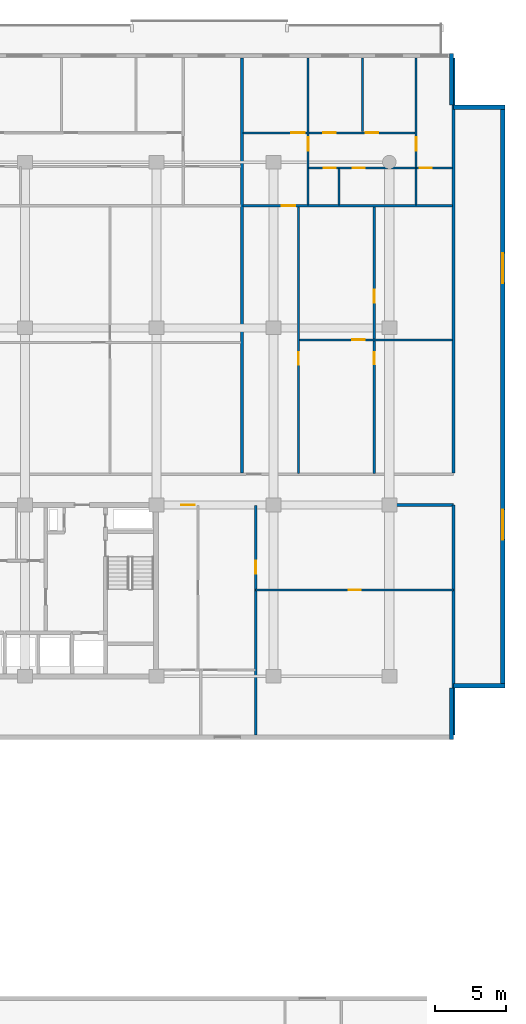
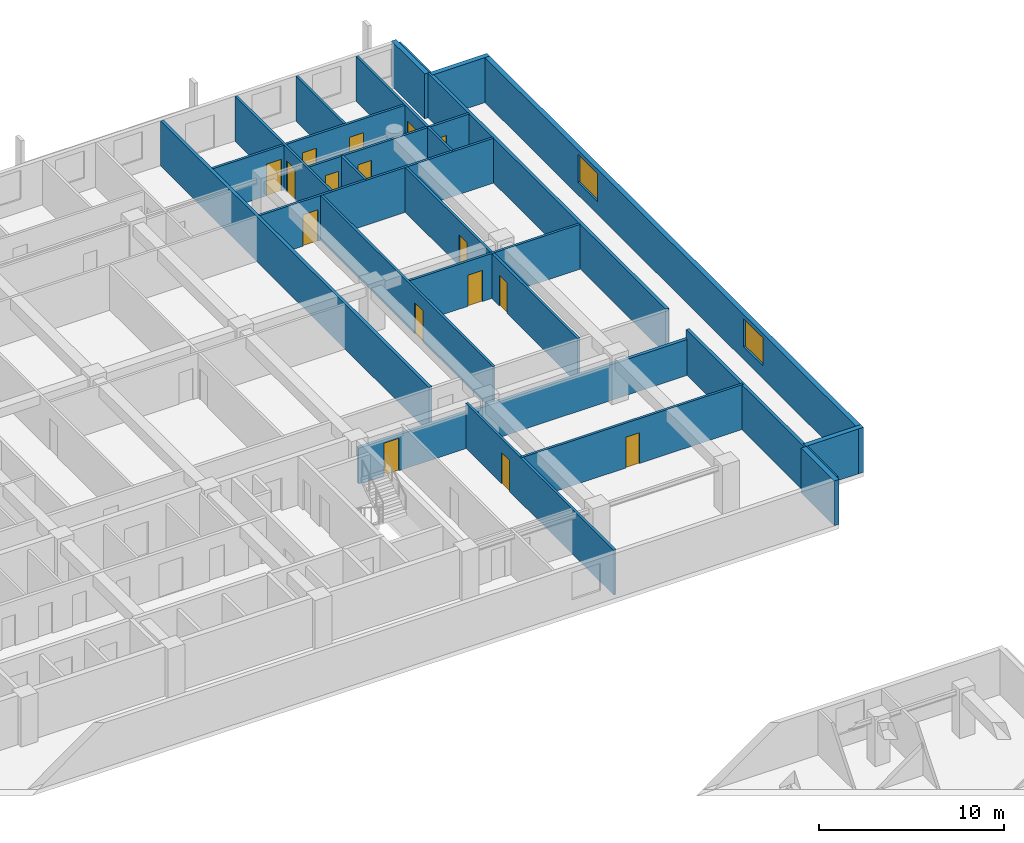
# One storey, part 17 of 23: 22 walls, 16 doors, 2 windows, 18 openings.
"""IFC4 building model written with IfcOpenShell, lengths in metres."""

from ifc_helpers import new_model, si_unit, direction, frame, frame_2d, origin, place, context, subcontext, project, spatial, rectangle, extrude, material, layer, layer_set, type_object, element, fill, save


model = new_model("IFC4")

# Units and contexts
model_context = context("Model", 3, precision=1e-05, world=origin(), true_north=direction((0.0, 1.0)))
body_context = subcontext(model_context, "Body", "Model", "MODEL_VIEW")
ifc_project = project(units=[si_unit("LENGTHUNIT", "METRE"), si_unit("AREAUNIT", "SQUARE_METRE"), si_unit("VOLUMEUNIT", "CUBIC_METRE"), si_unit("PLANEANGLEUNIT", "RADIAN"), si_unit("MASSUNIT", "GRAM", prefix="KILO")], contexts=[model_context])

# Site, building, storey
site_placement = place(None, origin())
site = spatial("IfcSite", under=ifc_project, at=site_placement, CompositionType="ELEMENT")
building_placement = place(site_placement, origin())
building = spatial("IfcBuilding", under=site, at=building_placement, Name="Korimba Cascade Residences", CompositionType="ELEMENT")
storey_placement = place(building_placement, frame((0.0, 0.0, 59.75)))
storey = spatial("IfcBuildingStorey", under=building, at=storey_placement, Name="L16", CompositionType="ELEMENT", Elevation=59.75)

# Walls
ifc_material_1 = material(Name="Precast concrete C40/50", Category="concrete")
ifc_layer_1 = layer(ifc_material_1, 0.300048828125)
ifc_layer_set_1 = layer_set([ifc_layer_1], Name="Precast concrete C40/50")
wall_type_1 = type_object("IfcWallType", Name="EW-STONE-300", PredefinedType="STANDARD", material=ifc_layer_set_1)
wall_1_placement = place(storey_placement, frame((132.75, 50.800048828125, 0.0), z_axis=(0.0, 0.0, 1.0), x_axis=(0.0, 1.0, 0.0)))
element("IfcWall", 1, at=wall_1_placement, inside=storey, type_object=wall_type_1, Name="L16 T1 Perimeter Stone Wall E01", PredefinedType="STANDARD", context=body_context, shape_type="SweptSolid", body=[
    extrude(rectangle(XDim=3.599853515625, YDim=0.300048828125, at=frame_2d((1.7998046875, 0.0))), origin(), (0.0, 0.0, 1.0), 2.969970703125),
])
wall_2_placement = place(storey_placement, frame((132.89990234375, 54.550048828125, 0.0), z_axis=(0.0, 0.0, 1.0), x_axis=(1.0, 0.0, 0.0)))
element("IfcWall", 2, at=wall_2_placement, inside=storey, type_object=wall_type_1, Name="L16 T1 Perimeter Stone Wall E02", PredefinedType="STANDARD", context=body_context, shape_type="SweptSolid", body=[
    extrude(rectangle(XDim=3.60009765625, YDim=0.300048828125, at=frame_2d((1.800048828125, 0.0))), origin(), (0.0, 0.0, 1.0), 2.969970703125),
])

# Wall, openings, windows
wall_3_placement = place(storey_placement, frame((136.35009765625, 54.39990234375, 0.0), z_axis=(0.0, 0.0, 1.0), x_axis=(0.0, 1.0, 0.0)))
wall_3 = element("IfcWall", 3, at=wall_3_placement, inside=storey, type_object=wall_type_1, Name="L16 T1 Perimeter Stone Wall E03", PredefinedType="STANDARD", context=body_context, shape_type="SweptSolid", body=[
    extrude(rectangle(XDim=40.800048828125, YDim=0.300048828125, at=frame_2d((20.39990234375, 0.0))), origin(), (0.0, 0.0, 1.0), 2.969970703125),
])
opening_1_placement = place(wall_3_placement, frame((10.3740234375, 0.0, 0.85009765625)))
opening_1 = element("IfcOpeningElement", 4, at=opening_1_placement, cuts=wall_3, Name="Opening W-03", PredefinedType="OPENING", context=body_context, shape_type="SweptSolid", body=[
    extrude(rectangle(XDim=2.10009765625, YDim=1.85009765625, at=frame_2d((1.050048828125, 0.925048828125))), frame((0.0, 0.16015625, 0.0), z_axis=(0.0, -1.0, 0.0), x_axis=(1.0, 0.0, 0.0)), (0.0, 0.0, 1.0), 0.320068359375),
])
opening_2_placement = place(wall_3_placement, frame((28.325927734375, 0.0, 0.85009765625)))
opening_2 = element("IfcOpeningElement", 5, at=opening_2_placement, cuts=wall_3, Name="Opening W-03", PredefinedType="OPENING", context=body_context, shape_type="SweptSolid", body=[
    extrude(rectangle(XDim=2.10009765625, YDim=1.85009765625, at=frame_2d((1.050048828125, 0.925048828125))), frame((0.0, 0.16015625, 0.0), z_axis=(0.0, -1.0, 0.0), x_axis=(1.0, 0.0, 0.0)), (0.0, 0.0, 1.0), 0.320068359375),
])
ifc_material_2 = material(Name="Double-Glazed Aluminium Window", Category="aluminium")
window_type = type_object("IfcWindowType", Name="WIN-CRN-2100", PartitioningType="DOUBLE_PANEL_HORIZONTAL", PredefinedType="WINDOW", material=ifc_material_2)
window_1_placement = place(opening_1_placement, origin())
window_1 = element("IfcWindow", 6, at=window_1_placement, inside=storey, type_object=window_type, Name="L16 T1 End View Window 3.1", OverallHeight=1.85009765625, OverallWidth=2.10009765625, PartitioningType="DOUBLE_PANEL_HORIZONTAL", PredefinedType="WINDOW", context=body_context, shape_type="SweptSolid", body=[
    extrude(rectangle(XDim=2.10009765625, YDim=1.85009765625, at=frame_2d((1.050048828125, 0.925048828125))), frame((0.0, 0.030029296875, 0.0), z_axis=(0.0, -1.0, 0.0), x_axis=(1.0, 0.0, 0.0)), (0.0, 0.0, 1.0), 0.06005859375),
])
fill(opening_1, window_1)
window_2_placement = place(opening_2_placement, origin())
window_2 = element("IfcWindow", 7, at=window_2_placement, inside=storey, type_object=window_type, Name="L16 T1 End View Window 3.2", OverallHeight=1.85009765625, OverallWidth=2.10009765625, PartitioningType="DOUBLE_PANEL_HORIZONTAL", PredefinedType="WINDOW", context=body_context, shape_type="SweptSolid", body=[
    extrude(rectangle(XDim=2.10009765625, YDim=1.85009765625, at=frame_2d((1.050048828125, 0.925048828125))), frame((0.0, 0.030029296875, 0.0), z_axis=(0.0, -1.0, 0.0), x_axis=(1.0, 0.0, 0.0)), (0.0, 0.0, 1.0), 0.06005859375),
])
fill(opening_2, window_2)

# Walls
for number, where, z_axis, x_axis, name in (
    (8, (136.5, 95.050048828125, 0.0), (0.0, 0.0, 1.0), (-1.0, 0.0, 0.0), "L16 T1 Perimeter Stone Wall E04"),
    (9, (132.75, 95.199951171875, 0.0), (0.0, 0.0, 1.0), (0.0, 1.0, 0.0), "L16 T1 Perimeter Stone Wall E05"),
):
    element("IfcWall", number, at=place(storey_placement, frame(where, z_axis=z_axis, x_axis=x_axis)), inside=storey, type_object=wall_type_1, Name=name, PredefinedType="STANDARD", context=body_context, shape_type="SweptSolid", body=[
        extrude(rectangle(XDim=3.60009765625, YDim=0.300048828125, at=frame_2d((1.800048828125, 0.0))), origin(), (0.0, 0.0, 1.0), 2.969970703125),
    ])
ifc_layer_2 = layer(ifc_material_1, 0.199951171875)
ifc_layer_set_2 = layer_set([ifc_layer_2], Name="Precast concrete C40/50")
wall_type_2 = type_object("IfcWallType", Name="WAL-IT-200", PredefinedType="PARTITIONING", material=ifc_layer_set_2)
wall_4_placement = place(storey_placement, frame((132.89990234375, 51.10009765625, 0.0), z_axis=(0.0, 0.0, 1.0), x_axis=(0.0, 1.0, 0.0)))
element("IfcWall", 10, at=wall_4_placement, inside=storey, type_object=wall_type_2, Name="L16 Partition Wall WAL-L16-T1-FE-WR", PredefinedType="PARTITIONING", context=body_context, shape_type="SweptSolid", body=[
    extrude(rectangle(XDim=16.099853515625, YDim=0.199951171875, at=frame_2d((8.0498046875, 0.0))), origin(), (0.0, 0.0, 1.0), 2.969970703125),
])

# Wall, opening, door
wall_5_placement = place(storey_placement, frame((112.25, 67.199951171875, 0.0), z_axis=(0.0, 0.0, 1.0), x_axis=(1.0, 0.0, 0.0)))
wall_5 = element("IfcWall", 11, at=wall_5_placement, inside=storey, type_object=wall_type_2, Name="L16 Partition Wall WAL-L16-T1-FE-N", PredefinedType="PARTITIONING", context=body_context, shape_type="SweptSolid", body=[
    extrude(rectangle(XDim=20.64990234375, YDim=0.199951171875, at=frame_2d((10.324951171875, 0.0))), origin(), (0.0, 0.0, 1.0), 2.3701171875),
])
opening_3_placement = place(wall_5_placement, frame((1.580078125, 0.0, 0.0)))
opening_3 = element("IfcOpeningElement", 12, at=opening_3_placement, cuts=wall_5, Name="Opening D-UN1", PredefinedType="OPENING", context=body_context, shape_type="SweptSolid", body=[
    extrude(rectangle(XDim=0.949951171875, YDim=2.14990234375, at=frame_2d((0.47509765625, 1.074951171875))), frame((0.0, 0.10986328125, 0.0), z_axis=(0.0, -1.0, 0.0), x_axis=(1.0, 0.0, 0.0)), (0.0, 0.0, 1.0), 0.219970703125),
])
ifc_material_3 = material(Name="Fire-Rated Hardwood Apartment Entrance Door", Category="wood")
door_type_1 = type_object("IfcDoorType", Name="DR-FD60-950", OperationType="NOTDEFINED", PredefinedType="DOOR", material=ifc_material_3)
door_1_placement = place(opening_3_placement, origin())
door_1 = element("IfcDoor", 13, at=door_1_placement, inside=storey, type_object=door_type_1, Name="L16-T1-FE Entrance Door", OperationType="SINGLE_SWING_LEFT", OverallHeight=2.14990234375, OverallWidth=0.949951171875, PredefinedType="DOOR", context=body_context, shape_type="SweptSolid", body=[
    extrude(rectangle(XDim=0.949951171875, YDim=2.14990234375, at=frame_2d((0.47509765625, 1.074951171875))), frame((0.0, 0.02490234375, 0.0), z_axis=(0.0, -1.0, 0.0), x_axis=(1.0, 0.0, 0.0)), (0.0, 0.0, 1.0), 0.050048828125),
])
fill(opening_3, door_1)

# Walls
for number, where, z_axis, x_axis, name in (
    (14, (132.89990234375, 69.429931640625, 0.0), (0.0, 0.0, 1.0), (0.0, 1.0, 0.0), "L16 Partition Wall WAL-L16-T1-BNDWR"),
    (15, (118.0830078125, 69.429931640625, 0.0), (0.0, 0.0, 1.0), (0.0, 1.0, 0.0), "L16 Partition Wall WAL-L16-T1-DEM-3"),
):
    element("IfcWall", number, at=place(storey_placement, frame(where, z_axis=z_axis, x_axis=x_axis)), inside=storey, type_object=wall_type_2, Name=name, PredefinedType="PARTITIONING", context=body_context, shape_type="SweptSolid", body=[
        extrude(rectangle(XDim=29.070068359375, YDim=0.199951171875, at=frame_2d((14.53515625, 0.0))), origin(), (0.0, 0.0, 1.0), 2.969970703125),
    ])

# Wall, opening, door
ifc_material_4 = material(Name="Insulated Acoustic Stud Partition", Category="gypsum")
ifc_layer_3 = layer(ifc_material_4, 0.14990234375)
ifc_layer_set_3 = layer_set([ifc_layer_3], Name="Insulated Acoustic Stud Partition")
wall_type_3 = type_object("IfcWallType", Name="WAL-PART-150", PredefinedType="PARTITIONING", material=ifc_layer_set_3)
wall_6_placement = place(storey_placement, frame((119.050048828125, 61.25, 0.0), z_axis=(0.0, 0.0, 1.0), x_axis=(1.0, 0.0, 0.0)))
wall_6 = element("IfcWall", 16, at=wall_6_placement, inside=storey, type_object=wall_type_3, Name="L16 Partition Wall WAL-L16-T1-FE-STH", PredefinedType="PARTITIONING", context=body_context, shape_type="SweptSolid", body=[
    extrude(rectangle(XDim=13.849853515625, YDim=0.14990234375, at=frame_2d((6.9248046875, 0.0))), origin(), (0.0, 0.0, 1.0), 2.969970703125),
])
opening_4_placement = place(wall_6_placement, frame((6.5048828125, 0.0, 0.0)))
opening_4 = element("IfcOpeningElement", 17, at=opening_4_placement, cuts=wall_6, Name="Opening D-BT1", PredefinedType="OPENING", context=body_context, shape_type="SweptSolid", body=[
    extrude(rectangle(XDim=0.840087890625, YDim=2.0400390625, at=frame_2d((0.419921875, 1.02001953125))), frame((0.0, 0.0849609375, 0.0), z_axis=(0.0, -1.0, 0.0), x_axis=(1.0, 0.0, 0.0)), (0.0, 0.0, 1.0), 0.169921875),
])
ifc_material_5 = material(Name="Moisture-Resistant Bathroom Timber Door", Category="wood")
door_type_2 = type_object("IfcDoorType", Name="DR-INT-850", OperationType="NOTDEFINED", PredefinedType="DOOR", material=ifc_material_5)
door_2_placement = place(opening_4_placement, origin())
door_2 = element("IfcDoor", 18, at=door_2_placement, inside=storey, type_object=door_type_2, Name="L16-T1-FE Dressing Store Door", OperationType="SINGLE_SWING_RIGHT", OverallHeight=2.0400390625, OverallWidth=0.840087890625, PredefinedType="DOOR", context=body_context, shape_type="SweptSolid", body=[
    extrude(rectangle(XDim=0.840087890625, YDim=2.0400390625, at=frame_2d((0.419921875, 1.02001953125))), frame((0.0, 0.02490234375, 0.0), z_axis=(0.0, -1.0, 0.0), x_axis=(1.0, 0.0, 0.0)), (0.0, 0.0, 1.0), 0.050048828125),
])
fill(opening_4, door_2)

wall_7_placement = place(storey_placement, frame((119.050048828125, 51.10009765625, 0.0), z_axis=(0.0, 0.0, 1.0), x_axis=(0.0, 1.0, 0.0)))
wall_7 = element("IfcWall", 19, at=wall_7_placement, inside=storey, type_object=wall_type_3, Name="L16 Partition Wall WAL-L16-T1-FE-STV", PredefinedType="PARTITIONING", context=body_context, shape_type="SweptSolid", body=[
    extrude(rectangle(XDim=16.0498046875, YDim=0.14990234375, at=frame_2d((8.02490234375, 0.0))), origin(), (0.0, 0.0, 1.0), 2.969970703125),
])
opening_5_placement = place(wall_7_placement, frame((11.300048828125, 0.0, 0.0)))
opening_5 = element("IfcOpeningElement", 20, at=opening_5_placement, cuts=wall_7, Name="Opening D-IN2", PredefinedType="OPENING", context=body_context, shape_type="SweptSolid", body=[
    extrude(rectangle(XDim=0.8798828125, YDim=2.06005859375, at=frame_2d((0.43994140625, 1.030029296875))), frame((0.0, 0.0849609375, 0.0), z_axis=(0.0, -1.0, 0.0), x_axis=(1.0, 0.0, 0.0)), (0.0, 0.0, 1.0), 0.169921875),
])
ifc_material_6 = material(Name="Acoustic Timber Bedroom Door", Category="wood")
door_type_3 = type_object("IfcDoorType", Name="DR-INT-880", OperationType="NOTDEFINED", PredefinedType="DOOR", material=ifc_material_6)
door_3_placement = place(opening_5_placement, origin())
door_3 = element("IfcDoor", 21, at=door_3_placement, inside=storey, type_object=door_type_3, Name="L16-T1-FE Study Door", OperationType="SINGLE_SWING_LEFT", OverallHeight=2.06005859375, OverallWidth=0.8798828125, PredefinedType="DOOR", context=body_context, shape_type="SweptSolid", body=[
    extrude(rectangle(XDim=0.8798828125, YDim=2.06005859375, at=frame_2d((0.43994140625, 1.030029296875))), frame((0.0, 0.02490234375, 0.0), z_axis=(0.0, -1.0, 0.0), x_axis=(1.0, 0.0, 0.0)), (0.0, 0.0, 1.0), 0.050048828125),
])
fill(opening_5, door_3)

# Wall, openings, doors
wall_8_placement = place(storey_placement, frame((127.346435546875, 69.409912109375, 0.0), z_axis=(0.0, 0.0, 1.0), x_axis=(0.0, 1.0, 0.0)))
wall_8 = element("IfcWall", 22, at=wall_8_placement, inside=storey, type_object=wall_type_3, Name="L16 Partition Wall WAL-L16-T1-U04-FMV", PredefinedType="PARTITIONING", context=body_context, shape_type="SweptSolid", body=[
    extrude(rectangle(XDim=18.7001953125, YDim=0.14990234375, at=frame_2d((9.35009765625, 0.0))), origin(), (0.0, 0.0, 1.0), 2.969970703125),
])
opening_6_placement = place(wall_8_placement, frame((7.627197265625, 0.0, 0.0)))
opening_6 = element("IfcOpeningElement", 23, at=opening_6_placement, cuts=wall_8, Name="Opening D-BT1", PredefinedType="OPENING", context=body_context, shape_type="SweptSolid", body=[
    extrude(rectangle(XDim=0.840087890625, YDim=2.0400390625, at=frame_2d((0.419921875, 1.02001953125))), frame((0.0, 0.0849609375, 0.0), z_axis=(0.0, -1.0, 0.0), x_axis=(1.0, 0.0, 0.0)), (0.0, 0.0, 1.0), 0.169921875),
])
opening_7_placement = place(wall_8_placement, frame((11.9609375, 0.0, 0.0)))
opening_7 = element("IfcOpeningElement", 24, at=opening_7_placement, cuts=wall_8, Name="Opening D-IN2", PredefinedType="OPENING", context=body_context, shape_type="SweptSolid", body=[
    extrude(rectangle(XDim=0.8798828125, YDim=2.06005859375, at=frame_2d((0.43994140625, 1.030029296875))), frame((0.0, 0.0849609375, 0.0), z_axis=(0.0, -1.0, 0.0), x_axis=(1.0, 0.0, 0.0)), (0.0, 0.0, 1.0), 0.169921875),
])
door_4_placement = place(opening_6_placement, origin())
door_4 = element("IfcDoor", 25, at=door_4_placement, inside=storey, type_object=door_type_2, Name="L16-T1-U04 Wardrobe Door", OperationType="SINGLE_SWING_RIGHT", OverallHeight=2.0400390625, OverallWidth=0.840087890625, PredefinedType="DOOR", context=body_context, shape_type="SweptSolid", body=[
    extrude(rectangle(XDim=0.840087890625, YDim=2.0400390625, at=frame_2d((0.419921875, 1.02001953125))), frame((0.0, 0.02490234375, 0.0), z_axis=(0.0, -1.0, 0.0), x_axis=(1.0, 0.0, 0.0)), (0.0, 0.0, 1.0), 0.050048828125),
])
fill(opening_6, door_4)
door_5_placement = place(opening_7_placement, origin())
door_5 = element("IfcDoor", 26, at=door_5_placement, inside=storey, type_object=door_type_3, Name="L16-T1-U04 Music Lounge Door", OperationType="SINGLE_SWING_LEFT", OverallHeight=2.06005859375, OverallWidth=0.8798828125, PredefinedType="DOOR", context=body_context, shape_type="SweptSolid", body=[
    extrude(rectangle(XDim=0.8798828125, YDim=2.06005859375, at=frame_2d((0.43994140625, 1.030029296875))), frame((0.0, 0.02490234375, 0.0), z_axis=(0.0, -1.0, 0.0), x_axis=(1.0, 0.0, 0.0)), (0.0, 0.0, 1.0), 0.050048828125),
])
fill(opening_7, door_5)

# Wall, opening, door
wall_9_placement = place(storey_placement, frame((122.113037109375, 78.760009765625, 0.0), z_axis=(0.0, 0.0, 1.0), x_axis=(1.0, 0.0, 0.0)))
wall_9 = element("IfcWall", 27, at=wall_9_placement, inside=storey, type_object=wall_type_3, Name="L16 Partition Wall WAL-L16-T1-U04-FMH", PredefinedType="PARTITIONING", context=body_context, shape_type="SweptSolid", body=[
    extrude(rectangle(XDim=10.70703125, YDim=0.14990234375, at=frame_2d((5.353515625, 0.0))), origin(), (0.0, 0.0, 1.0), 2.969970703125),
])
opening_8_placement = place(wall_9_placement, frame((3.679443359375, 0.0, 0.0)))
opening_8 = element("IfcOpeningElement", 28, at=opening_8_placement, cuts=wall_9, Name="Opening D-IN2", PredefinedType="OPENING", context=body_context, shape_type="SweptSolid", body=[
    extrude(rectangle(XDim=0.8798828125, YDim=2.06005859375, at=frame_2d((0.43994140625, 1.030029296875))), frame((0.0, 0.0849609375, 0.0), z_axis=(0.0, -1.0, 0.0), x_axis=(1.0, 0.0, 0.0)), (0.0, 0.0, 1.0), 0.169921875),
])
door_6_placement = place(opening_8_placement, origin())
door_6 = element("IfcDoor", 29, at=door_6_placement, inside=storey, type_object=door_type_3, Name="L16-T1-U04 Library Salon Door", OperationType="SINGLE_SWING_RIGHT", OverallHeight=2.06005859375, OverallWidth=0.8798828125, PredefinedType="DOOR", context=body_context, shape_type="SweptSolid", body=[
    extrude(rectangle(XDim=0.8798828125, YDim=2.06005859375, at=frame_2d((0.43994140625, 1.030029296875))), frame((0.0, 0.02490234375, 0.0), z_axis=(0.0, -1.0, 0.0), x_axis=(1.0, 0.0, 0.0)), (0.0, 0.0, 1.0), 0.050048828125),
])
fill(opening_8, door_6)

wall_10_placement = place(storey_placement, frame((122.052978515625, 69.409912109375, 0.0), z_axis=(0.0, 0.0, 1.0), x_axis=(0.0, 1.0, 0.0)))
wall_10 = element("IfcWall", 30, at=wall_10_placement, inside=storey, type_object=wall_type_3, Name="L16 Partition Wall WAL-L16-T1-U04-FV", PredefinedType="PARTITIONING", context=body_context, shape_type="SweptSolid", body=[
    extrude(rectangle(XDim=18.7001953125, YDim=0.14990234375, at=frame_2d((9.35009765625, 0.0))), origin(), (0.0, 0.0, 1.0), 2.969970703125),
])
opening_9_placement = place(wall_10_placement, frame((7.59033203125, 0.0, 0.0)))
opening_9 = element("IfcOpeningElement", 31, at=opening_9_placement, cuts=wall_10, Name="Opening D-IN2", PredefinedType="OPENING", context=body_context, shape_type="SweptSolid", body=[
    extrude(rectangle(XDim=0.8798828125, YDim=2.06005859375, at=frame_2d((0.43994140625, 1.030029296875))), frame((0.0, 0.0849609375, 0.0), z_axis=(0.0, -1.0, 0.0), x_axis=(1.0, 0.0, 0.0)), (0.0, 0.0, 1.0), 0.169921875),
])
door_7_placement = place(opening_9_placement, origin())
door_7 = element("IfcDoor", 32, at=door_7_placement, inside=storey, type_object=door_type_3, Name="L16-T1-U04 Media Lounge Door", OperationType="SINGLE_SWING_LEFT", OverallHeight=2.06005859375, OverallWidth=0.8798828125, PredefinedType="DOOR", context=body_context, shape_type="SweptSolid", body=[
    extrude(rectangle(XDim=0.8798828125, YDim=2.06005859375, at=frame_2d((0.43994140625, 1.030029296875))), frame((0.0, 0.02490234375, 0.0), z_axis=(0.0, -1.0, 0.0), x_axis=(1.0, 0.0, 0.0)), (0.0, 0.0, 1.0), 0.050048828125),
])
fill(opening_9, door_7)

# Walls
wall_11_placement = place(storey_placement, frame((124.871826171875, 88.18994140625, 0.0), z_axis=(0.0, 0.0, 1.0), x_axis=(0.0, 1.0, 0.0)))
element("IfcWall", 33, at=wall_11_placement, inside=storey, type_object=wall_type_3, Name="L16 Partition Wall WAL-L16-T1-U04-VDRS", PredefinedType="PARTITIONING", context=body_context, shape_type="SweptSolid", body=[
    extrude(rectangle(XDim=2.580078125, YDim=0.14990234375, at=frame_2d((1.2900390625, 0.0))), origin(), (0.0, 0.0, 1.0), 2.969970703125),
])
wall_12_placement = place(storey_placement, frame((126.52001953125, 93.330078125, 0.0), z_axis=(0.0, 0.0, 1.0), x_axis=(0.0, 1.0, 0.0)))
element("IfcWall", 34, at=wall_12_placement, inside=storey, type_object=wall_type_3, Name="L16 Partition Wall WAL-L16-T1-U04-VSTD", PredefinedType="PARTITIONING", context=body_context, shape_type="SweptSolid", body=[
    extrude(rectangle(XDim=5.169921875, YDim=0.14990234375, at=frame_2d((2.5849609375, 0.0))), origin(), (0.0, 0.0, 1.0), 2.969970703125),
])

# Wall, opening, door
wall_13_placement = place(storey_placement, frame((122.721923828125, 88.18994140625, 0.0), z_axis=(0.0, 0.0, 1.0), x_axis=(0.0, 1.0, 0.0)))
wall_13 = element("IfcWall", 35, at=wall_13_placement, inside=storey, type_object=wall_type_3, Name="L16 Partition Wall WAL-L16-T1-U04-V1", PredefinedType="PARTITIONING", context=body_context, shape_type="SweptSolid", body=[
    extrude(rectangle(XDim=10.31005859375, YDim=0.14990234375, at=frame_2d((5.155029296875, 0.0))), origin(), (0.0, 0.0, 1.0), 2.969970703125),
])
opening_10_placement = place(wall_13_placement, frame((3.820068359375, 0.0, 0.0)))
opening_10 = element("IfcOpeningElement", 36, at=opening_10_placement, cuts=wall_13, Name="Opening D-IN1", PredefinedType="OPENING", context=body_context, shape_type="SweptSolid", body=[
    extrude(rectangle(XDim=0.919921875, YDim=2.080078125, at=frame_2d((0.4599609375, 1.0400390625))), frame((0.0, 0.0849609375, 0.0), z_axis=(0.0, -1.0, 0.0), x_axis=(1.0, 0.0, 0.0)), (0.0, 0.0, 1.0), 0.169921875),
])
ifc_material_7 = material(Name="Acoustic Timber Living Door", Category="wood")
door_type_4 = type_object("IfcDoorType", Name="DR-INT-920", OperationType="NOTDEFINED", PredefinedType="DOOR", material=ifc_material_7)
door_8_placement = place(opening_10_placement, origin())
door_8 = element("IfcDoor", 37, at=door_8_placement, inside=storey, type_object=door_type_4, Name="L16-T1-U04 Hallway Door", OperationType="SINGLE_SWING_RIGHT", OverallHeight=2.080078125, OverallWidth=0.919921875, PredefinedType="DOOR", context=body_context, shape_type="SweptSolid", body=[
    extrude(rectangle(XDim=0.919921875, YDim=2.080078125, at=frame_2d((0.4599609375, 1.0400390625))), frame((0.0, 0.02490234375, 0.0), z_axis=(0.0, -1.0, 0.0), x_axis=(1.0, 0.0, 0.0)), (0.0, 0.0, 1.0), 0.050048828125),
])
fill(opening_10, door_8)

# Wall
wall_14_placement = place(storey_placement, frame((130.280029296875, 88.18994140625, 0.0), z_axis=(0.0, 0.0, 1.0), x_axis=(0.0, 1.0, 0.0)))
element("IfcWall", 38, at=wall_14_placement, inside=storey, type_object=wall_type_3, Name="L16 Partition Wall WAL-L16-T1-U04-VBATH", PredefinedType="PARTITIONING", context=body_context, shape_type="SweptSolid", body=[
    extrude(rectangle(XDim=2.580078125, YDim=0.14990234375, at=frame_2d((1.2900390625, 0.0))), origin(), (0.0, 0.0, 1.0), 2.969970703125),
])

# Wall, opening, door
wall_15_placement = place(storey_placement, frame((130.280029296875, 90.81005859375, 0.0), z_axis=(0.0, 0.0, 1.0), x_axis=(0.0, 1.0, 0.0)))
wall_15 = element("IfcWall", 39, at=wall_15_placement, inside=storey, type_object=wall_type_3, Name="L16 Partition Wall WAL-L16-T1-U04-V2FULL", PredefinedType="PARTITIONING", context=body_context, shape_type="SweptSolid", body=[
    extrude(rectangle(XDim=7.68994140625, YDim=0.14990234375, at=frame_2d((3.844970703125, 0.0))), origin(), (0.0, 0.0, 1.0), 2.969970703125),
])
opening_11_placement = place(wall_15_placement, frame((1.199951171875, 0.0, 0.0)))
opening_11 = element("IfcOpeningElement", 40, at=opening_11_placement, cuts=wall_15, Name="Opening D-IN1", PredefinedType="OPENING", context=body_context, shape_type="SweptSolid", body=[
    extrude(rectangle(XDim=0.919921875, YDim=2.080078125, at=frame_2d((0.4599609375, 1.0400390625))), frame((0.0, 0.0849609375, 0.0), z_axis=(0.0, -1.0, 0.0), x_axis=(1.0, 0.0, 0.0)), (0.0, 0.0, 1.0), 0.169921875),
])
door_9_placement = place(opening_11_placement, origin())
door_9 = element("IfcDoor", 41, at=door_9_placement, inside=storey, type_object=door_type_4, Name="L16-T1-U04 Master Bedroom Door", OperationType="SINGLE_SWING_LEFT", OverallHeight=2.080078125, OverallWidth=0.919921875, PredefinedType="DOOR", context=body_context, shape_type="SweptSolid", body=[
    extrude(rectangle(XDim=0.919921875, YDim=2.080078125, at=frame_2d((0.4599609375, 1.0400390625))), frame((0.0, 0.02490234375, 0.0), z_axis=(0.0, -1.0, 0.0), x_axis=(1.0, 0.0, 0.0)), (0.0, 0.0, 1.0), 0.050048828125),
])
fill(opening_11, door_9)

# Wall, openings, doors
wall_16_placement = place(storey_placement, frame((122.761962890625, 90.7900390625, 0.0), z_axis=(0.0, 0.0, 1.0), x_axis=(1.0, 0.0, 0.0)))
wall_16 = element("IfcWall", 42, at=wall_16_placement, inside=storey, type_object=wall_type_3, Name="L16 Partition Wall WAL-L16-T1-U04-HWALL", PredefinedType="PARTITIONING", context=body_context, shape_type="SweptSolid", body=[
    extrude(rectangle(XDim=10.05810546875, YDim=0.14990234375, at=frame_2d((5.029052734375, 0.0))), origin(), (0.0, 0.0, 1.0), 2.969970703125),
])
opening_12_placement = place(wall_16_placement, frame((1.033935546875, 0.0, 0.0)))
opening_12 = element("IfcOpeningElement", 43, at=opening_12_placement, cuts=wall_16, Name="Opening D-BT1", PredefinedType="OPENING", context=body_context, shape_type="SweptSolid", body=[
    extrude(rectangle(XDim=0.840087890625, YDim=2.0400390625, at=frame_2d((0.419921875, 1.02001953125))), frame((0.0, 0.0849609375, 0.0), z_axis=(0.0, -1.0, 0.0), x_axis=(1.0, 0.0, 0.0)), (0.0, 0.0, 1.0), 0.169921875),
])
opening_13_placement = place(wall_16_placement, frame((3.072998046875, 0.0, 0.0)))
opening_13 = element("IfcOpeningElement", 44, at=opening_13_placement, cuts=wall_16, Name="Opening D-BT1", PredefinedType="OPENING", context=body_context, shape_type="SweptSolid", body=[
    extrude(rectangle(XDim=0.840087890625, YDim=2.0400390625, at=frame_2d((0.419921875, 1.02001953125))), frame((0.0, 0.0849609375, 0.0), z_axis=(0.0, -1.0, 0.0), x_axis=(1.0, 0.0, 0.0)), (0.0, 0.0, 1.0), 0.169921875),
])
opening_14_placement = place(wall_16_placement, frame((7.76806640625, 0.0, 0.0)))
opening_14 = element("IfcOpeningElement", 45, at=opening_14_placement, cuts=wall_16, Name="Opening D-BT1", PredefinedType="OPENING", context=body_context, shape_type="SweptSolid", body=[
    extrude(rectangle(XDim=0.840087890625, YDim=2.0400390625, at=frame_2d((0.419921875, 1.02001953125))), frame((0.0, 0.0849609375, 0.0), z_axis=(0.0, -1.0, 0.0), x_axis=(1.0, 0.0, 0.0)), (0.0, 0.0, 1.0), 0.169921875),
])
door_10_placement = place(opening_12_placement, origin())
door_10 = element("IfcDoor", 46, at=door_10_placement, inside=storey, type_object=door_type_2, Name="L16-T1-U04 Family Bathroom Door", OperationType="SINGLE_SWING_RIGHT", OverallHeight=2.0400390625, OverallWidth=0.840087890625, PredefinedType="DOOR", context=body_context, shape_type="SweptSolid", body=[
    extrude(rectangle(XDim=0.840087890625, YDim=2.0400390625, at=frame_2d((0.419921875, 1.02001953125))), frame((0.0, 0.02490234375, 0.0), z_axis=(0.0, -1.0, 0.0), x_axis=(1.0, 0.0, 0.0)), (0.0, 0.0, 1.0), 0.050048828125),
])
fill(opening_12, door_10)
door_11_placement = place(opening_13_placement, origin())
door_11 = element("IfcDoor", 47, at=door_11_placement, inside=storey, type_object=door_type_2, Name="L16-T1-U04 Dressing Room Door", OperationType="SINGLE_SWING_LEFT", OverallHeight=2.0400390625, OverallWidth=0.840087890625, PredefinedType="DOOR", context=body_context, shape_type="SweptSolid", body=[
    extrude(rectangle(XDim=0.840087890625, YDim=2.0400390625, at=frame_2d((0.419921875, 1.02001953125))), frame((0.0, 0.02490234375, 0.0), z_axis=(0.0, -1.0, 0.0), x_axis=(1.0, 0.0, 0.0)), (0.0, 0.0, 1.0), 0.050048828125),
])
fill(opening_13, door_11)
door_12_placement = place(opening_14_placement, origin())
door_12 = element("IfcDoor", 48, at=door_12_placement, inside=storey, type_object=door_type_2, Name="L16-T1-U04 En-Suite Door", OperationType="SINGLE_SWING_RIGHT", OverallHeight=2.0400390625, OverallWidth=0.840087890625, PredefinedType="DOOR", context=body_context, shape_type="SweptSolid", body=[
    extrude(rectangle(XDim=0.840087890625, YDim=2.0400390625, at=frame_2d((0.419921875, 1.02001953125))), frame((0.0, 0.02490234375, 0.0), z_axis=(0.0, -1.0, 0.0), x_axis=(1.0, 0.0, 0.0)), (0.0, 0.0, 1.0), 0.050048828125),
])
fill(opening_14, door_12)

# Wall, opening, door
wall_17_placement = place(storey_placement, frame((118.1630859375, 88.14990234375, 0.0), z_axis=(0.0, 0.0, 1.0), x_axis=(1.0, 0.0, 0.0)))
wall_17 = element("IfcWall", 49, at=wall_17_placement, inside=storey, type_object=wall_type_3, Name="L16 Partition Wall WAL-L16-T1-U04-MW", PredefinedType="PARTITIONING", context=body_context, shape_type="SweptSolid", body=[
    extrude(rectangle(XDim=14.656982421875, YDim=0.14990234375, at=frame_2d((7.32861328125, 0.0))), origin(), (0.0, 0.0, 1.0), 2.969970703125),
])
opening_15_placement = place(wall_17_placement, frame((2.719970703125, 0.0, 0.0)))
opening_15 = element("IfcOpeningElement", 50, at=opening_15_placement, cuts=wall_17, Name="Opening D-IN1", PredefinedType="OPENING", context=body_context, shape_type="SweptSolid", body=[
    extrude(rectangle(XDim=0.919921875, YDim=2.080078125, at=frame_2d((0.4599609375, 1.0400390625))), frame((0.0, 0.0849609375, 0.0), z_axis=(0.0, -1.0, 0.0), x_axis=(1.0, 0.0, 0.0)), (0.0, 0.0, 1.0), 0.169921875),
])
door_13_placement = place(opening_15_placement, origin())
door_13 = element("IfcDoor", 51, at=door_13_placement, inside=storey, type_object=door_type_4, Name="L16-T1-U04 Kitchen Door", OperationType="SINGLE_SWING_LEFT", OverallHeight=2.080078125, OverallWidth=0.919921875, PredefinedType="DOOR", context=body_context, shape_type="SweptSolid", body=[
    extrude(rectangle(XDim=0.919921875, YDim=2.080078125, at=frame_2d((0.4599609375, 1.0400390625))), frame((0.0, 0.02490234375, 0.0), z_axis=(0.0, -1.0, 0.0), x_axis=(1.0, 0.0, 0.0)), (0.0, 0.0, 1.0), 0.050048828125),
])
fill(opening_15, door_13)

# Wall, openings, doors
wall_18_placement = place(storey_placement, frame((118.1630859375, 93.25, 0.0), z_axis=(0.0, 0.0, 1.0), x_axis=(1.0, 0.0, 0.0)))
wall_18 = element("IfcWall", 52, at=wall_18_placement, inside=storey, type_object=wall_type_3, Name="L16 Partition Wall WAL-L16-T1-U04-HZ", PredefinedType="PARTITIONING", context=body_context, shape_type="SweptSolid", body=[
    extrude(rectangle(XDim=12.116943359375, YDim=0.14990234375, at=frame_2d((6.05859375, 0.0))), origin(), (0.0, 0.0, 1.0), 2.969970703125),
])
opening_16_placement = place(wall_18_placement, frame((3.368896484375, 0.0, 0.0)))
opening_16 = element("IfcOpeningElement", 53, at=opening_16_placement, cuts=wall_18, Name="Opening D-IN0", PredefinedType="OPENING", context=body_context, shape_type="SweptSolid", body=[
    extrude(rectangle(XDim=0.93994140625, YDim=2.10009765625, at=frame_2d((0.469970703125, 1.050048828125))), frame((0.0, 0.0849609375, 0.0), z_axis=(0.0, -1.0, 0.0), x_axis=(1.0, 0.0, 0.0)), (0.0, 0.0, 1.0), 0.169921875),
])
opening_17_placement = place(wall_18_placement, frame((5.618408203125, 0.0, 0.0)))
opening_17 = element("IfcOpeningElement", 54, at=opening_17_placement, cuts=wall_18, Name="Opening D-IN2", PredefinedType="OPENING", context=body_context, shape_type="SweptSolid", body=[
    extrude(rectangle(XDim=0.8798828125, YDim=2.06005859375, at=frame_2d((0.43994140625, 1.030029296875))), frame((0.0, 0.0849609375, 0.0), z_axis=(0.0, -1.0, 0.0), x_axis=(1.0, 0.0, 0.0)), (0.0, 0.0, 1.0), 0.169921875),
])
opening_18_placement = place(wall_18_placement, frame((8.576904296875, 0.0, 0.0)))
opening_18 = element("IfcOpeningElement", 55, at=opening_18_placement, cuts=wall_18, Name="Opening D-IN2", PredefinedType="OPENING", context=body_context, shape_type="SweptSolid", body=[
    extrude(rectangle(XDim=0.8798828125, YDim=2.06005859375, at=frame_2d((0.43994140625, 1.030029296875))), frame((0.0, 0.0849609375, 0.0), z_axis=(0.0, -1.0, 0.0), x_axis=(1.0, 0.0, 0.0)), (0.0, 0.0, 1.0), 0.169921875),
])
door_14_placement = place(opening_17_placement, origin())
door_14 = element("IfcDoor", 56, at=door_14_placement, inside=storey, type_object=door_type_3, Name="L16-T1-U04 Bedroom 2 Door", OperationType="SINGLE_SWING_LEFT", OverallHeight=2.06005859375, OverallWidth=0.8798828125, PredefinedType="DOOR", context=body_context, shape_type="SweptSolid", body=[
    extrude(rectangle(XDim=0.8798828125, YDim=2.06005859375, at=frame_2d((0.43994140625, 1.030029296875))), frame((0.0, 0.02490234375, 0.0), z_axis=(0.0, -1.0, 0.0), x_axis=(1.0, 0.0, 0.0)), (0.0, 0.0, 1.0), 0.050048828125),
])
fill(opening_17, door_14)
door_15_placement = place(opening_18_placement, origin())
door_15 = element("IfcDoor", 57, at=door_15_placement, inside=storey, type_object=door_type_3, Name="L16-T1-U04 Study Door", OperationType="SINGLE_SWING_RIGHT", OverallHeight=2.06005859375, OverallWidth=0.8798828125, PredefinedType="DOOR", context=body_context, shape_type="SweptSolid", body=[
    extrude(rectangle(XDim=0.8798828125, YDim=2.06005859375, at=frame_2d((0.43994140625, 1.030029296875))), frame((0.0, 0.02490234375, 0.0), z_axis=(0.0, -1.0, 0.0), x_axis=(1.0, 0.0, 0.0)), (0.0, 0.0, 1.0), 0.050048828125),
])
fill(opening_18, door_15)
ifc_material_8 = material(Name="Acoustic Timber Living Archway Door", Category="wood")
door_type_5 = type_object("IfcDoorType", Name="DR-INT-950", OperationType="NOTDEFINED", PredefinedType="DOOR", material=ifc_material_8)
door_16_placement = place(opening_16_placement, origin())
door_16 = element("IfcDoor", 58, at=door_16_placement, inside=storey, type_object=door_type_5, Name="L16-T1-U04 Living Room Door", OperationType="SINGLE_SWING_RIGHT", OverallHeight=2.10009765625, OverallWidth=0.93994140625, PredefinedType="DOOR", context=body_context, shape_type="SweptSolid", body=[
    extrude(rectangle(XDim=0.93994140625, YDim=2.10009765625, at=frame_2d((0.469970703125, 1.050048828125))), frame((0.0, 0.02490234375, 0.0), z_axis=(0.0, -1.0, 0.0), x_axis=(1.0, 0.0, 0.0)), (0.0, 0.0, 1.0), 0.050048828125),
])
fill(opening_16, door_16)

save(model, "model.ifc")
